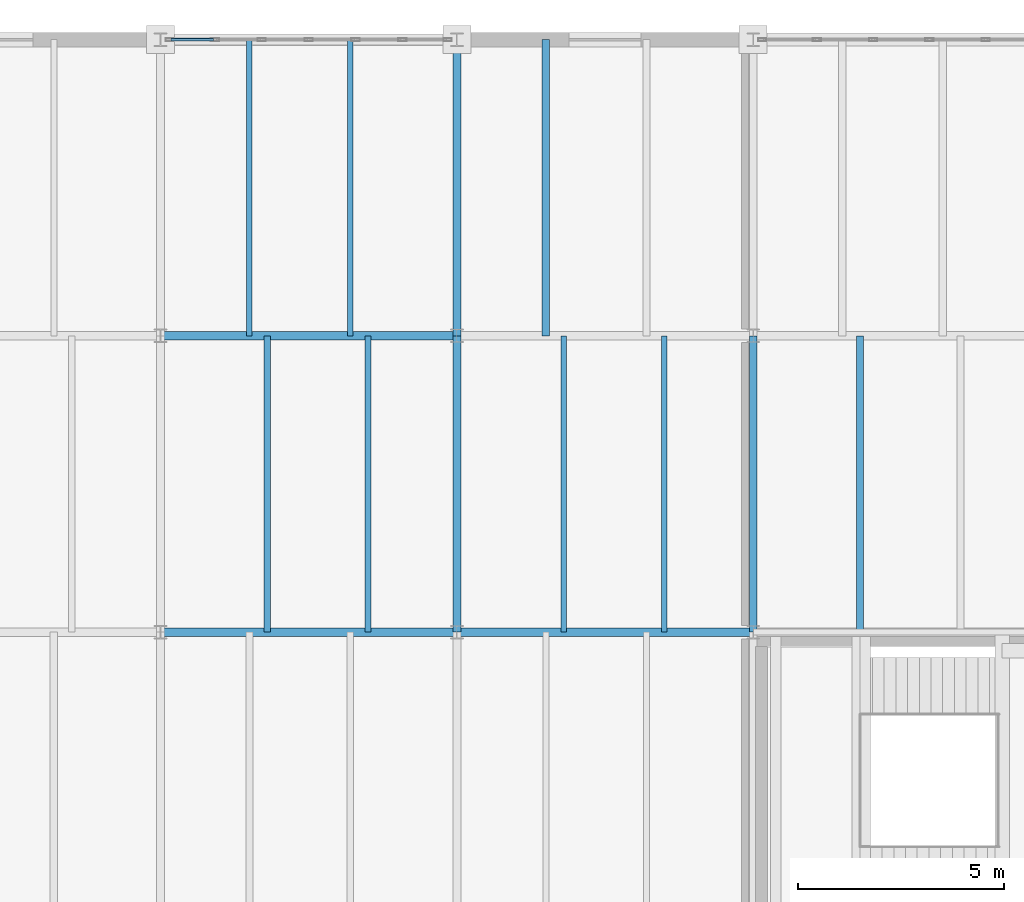
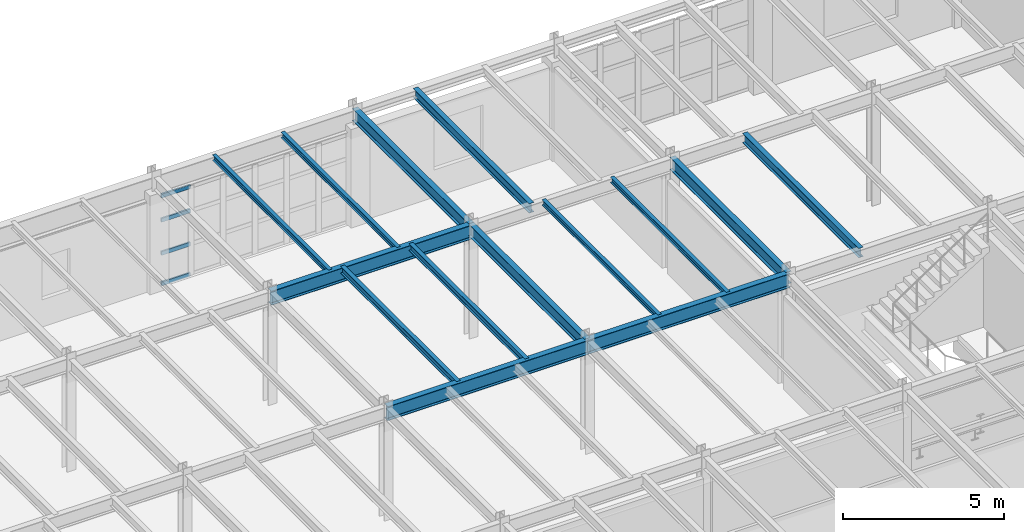
# One storey, part 59 of 137: 14 beams, 4 members, 1 element without a shape of its own.
"""IFC4 building model written with IfcOpenShell, lengths in metres."""

from ifc_helpers import new_model, si_unit, direction, frame, origin, origin_2d, place, context, subcontext, project, spatial, hollow_rectangle, i_section, extrude, material, layer, layer_set, material_profile, profile_set, type_object, element, aggregate, save


model = new_model("IFC4")

# Units and contexts
model_context = context("Model", 3, precision=1e-05, world=origin(), true_north=direction((0.0, 1.0)))
body_context = subcontext(model_context, "Body", "Model", "MODEL_VIEW")
ifc_project = project(units=[si_unit("LENGTHUNIT", "METRE"), si_unit("AREAUNIT", "SQUARE_METRE"), si_unit("VOLUMEUNIT", "CUBIC_METRE"), si_unit("PLANEANGLEUNIT", "RADIAN"), si_unit("MASSUNIT", "GRAM", prefix="KILO")], contexts=[model_context])

# Site, building, storey
site_placement = place(None, origin())
site = spatial("IfcSite", under=ifc_project, at=site_placement, CompositionType="ELEMENT")
building_placement = place(site_placement, origin())
building = spatial("IfcBuilding", under=site, at=building_placement, Name="Kemerveld Promenade Tramway Depot", CompositionType="ELEMENT")
storey_placement = place(building_placement, frame((0.0, 0.0, 5.39990234375)))
storey = spatial("IfcBuildingStorey", under=building, at=storey_placement, Name="L01", CompositionType="ELEMENT", Elevation=5.39990234375)

# Beams
ifc_material_1 = material(Name="Steel S355", Category="steel")
ifc_material_profile_1 = material_profile(ifc_material_1, i_section(OverallWidth=0.2099609375, OverallDepth=0.53662109375, WebThickness=0.0107421875, FlangeThickness=0.017333984375, FilletRadius=0.0126953125, at=origin_2d()), Name="533x210x101 UB")
ifc_profile_set_1 = profile_set([ifc_material_profile_1], Name="Steel S355")
beam_type_1 = type_object("IfcBeamType", Name="BM-G05", PredefinedType="BEAM", material=ifc_profile_set_1)
beam_1_placement = place(storey_placement, frame((14.39990234375, 64.800048828125, 3.99169921875), z_axis=(1.0, 0.0, 0.0), x_axis=(0.0, 1.0, 0.0)))
element("IfcBeam", 1, at=beam_1_placement, inside=storey, type_object=beam_type_1, Name="BMX-L01-03-04-K", PredefinedType="BEAM", context=body_context, shape_type="SweptSolid", body=[
    extrude(i_section(OverallWidth=0.2099609375, OverallDepth=0.53662109375, WebThickness=0.0107421875, FlangeThickness=0.017333984375, FilletRadius=0.0126953125, at=origin_2d()), origin(), (0.0, 0.0, 1.0), 7.2001953125),
])
beam_2_placement = place(storey_placement, frame((21.60009765625, 64.800048828125, 3.99169921875), z_axis=(1.0, 0.0, 0.0), x_axis=(0.0, 1.0, 0.0)))
element("IfcBeam", 2, at=beam_2_placement, inside=storey, type_object=beam_type_1, Name="BMX-L01-04-05-K", PredefinedType="BEAM", context=body_context, shape_type="SweptSolid", body=[
    extrude(i_section(OverallWidth=0.2099609375, OverallDepth=0.53662109375, WebThickness=0.0107421875, FlangeThickness=0.017333984375, FilletRadius=0.0126953125, at=origin_2d()), origin(), (0.0, 0.0, 1.0), 7.199951171875),
])
beam_3_placement = place(storey_placement, frame((14.39990234375, 72.0, 3.99169921875), z_axis=(1.0, 0.0, 0.0), x_axis=(0.0, 1.0, 0.0)))
element("IfcBeam", 3, at=beam_3_placement, inside=storey, type_object=beam_type_1, Name="BMX-L01-03-04-L", PredefinedType="BEAM", context=body_context, shape_type="SweptSolid", body=[
    extrude(i_section(OverallWidth=0.2099609375, OverallDepth=0.53662109375, WebThickness=0.0107421875, FlangeThickness=0.017333984375, FilletRadius=0.0126953125, at=origin_2d()), origin(), (0.0, 0.0, 1.0), 7.2001953125),
])
ifc_material_profile_2 = material_profile(ifc_material_1, i_section(OverallWidth=0.19140625, OverallDepth=0.4599609375, WebThickness=0.010009765625, FlangeThickness=0.01611328125, FilletRadius=0.01025390625, at=origin_2d()), Name="457x191x82 UB")
ifc_profile_set_2 = profile_set([ifc_material_profile_2], Name="Steel S355")
beam_type_2 = type_object("IfcBeamType", Name="BM-G06", PredefinedType="BEAM", material=ifc_profile_set_2)
for number, where, z_axis, x_axis, name in (
    (4, (21.60009765625, 64.800048828125, 4.030029296875), (0.0, 1.0, 0.0), (-1.0, 0.0, 0.0), "BMY-L01-04-K-L"),
    (5, (21.60009765625, 72.0, 4.030029296875), (0.0, 1.0, 0.0), (-1.0, 0.0, 0.0), "BMY-L01-04-L-M"),
    (6, (28.800048828125, 64.800048828125, 4.030029296875), (0.0, 1.0, 0.0), (-1.0, 0.0, 0.0), "BMY-L01-05-K-L"),
):
    element("IfcBeam", number, at=place(storey_placement, frame(where, z_axis=z_axis, x_axis=x_axis)), inside=storey, type_object=beam_type_2, Name=name, PredefinedType="BEAM", context=body_context, shape_type="SweptSolid", body=[
        extrude(i_section(OverallWidth=0.19140625, OverallDepth=0.4599609375, WebThickness=0.010009765625, FlangeThickness=0.01611328125, FilletRadius=0.01025390625, at=origin_2d()), origin(), (0.0, 0.0, 1.0), 7.199951171875),
    ])
ifc_material_profile_3 = material_profile(ifc_material_1, i_section(OverallWidth=0.146484375, OverallDepth=0.256103515625, WebThickness=0.00634765625, FlangeThickness=0.010986328125, FilletRadius=0.007568359375, at=origin_2d()), Name="254x146x37 UB")
ifc_profile_set_3 = profile_set([ifc_material_profile_3], Name="Steel S355")
beam_type_3 = type_object("IfcBeamType", Name="BM-J02", PredefinedType="JOIST", material=ifc_profile_set_3)
for number, where, z_axis, x_axis, name in (
    (7, (16.991943359375, 64.800048828125, 4.132080078125), (0.0, 1.0, 0.0), (-1.0, 0.0, 0.0), "JST-L01-03-K-1"),
    (8, (19.43994140625, 64.800048828125, 4.132080078125), (0.0, 1.0, 0.0), (-1.0, 0.0, 0.0), "JST-L01-03-K-2"),
):
    element("IfcBeam", number, at=place(storey_placement, frame(where, z_axis=z_axis, x_axis=x_axis)), inside=storey, type_object=beam_type_3, Name=name, PredefinedType="JOIST", context=body_context, shape_type="SweptSolid", body=[
        extrude(i_section(OverallWidth=0.146484375, OverallDepth=0.256103515625, WebThickness=0.00634765625, FlangeThickness=0.010986328125, FilletRadius=0.007568359375, at=origin_2d()), origin(), (0.0, 0.0, 1.0), 7.199951171875),
    ])
ifc_material_profile_4 = material_profile(ifc_material_1, i_section(OverallWidth=0.13330078125, OverallDepth=0.203125, WebThickness=0.005615234375, FlangeThickness=0.0078125, FilletRadius=0.007568359375, at=origin_2d()), Name="203x133x25 UB")
ifc_profile_set_4 = profile_set([ifc_material_profile_4], Name="Steel S355")
beam_type_4 = type_object("IfcBeamType", Name="BM-J03", PredefinedType="JOIST", material=ifc_profile_set_4)
for number, where, z_axis, x_axis, name in (
    (9, (16.56005859375, 72.0, 4.158447265625), (0.0, 1.0, 0.0), (-1.0, 0.0, 0.0), "JST-L01-03-L-1"),
    (10, (19.008056640625, 72.0, 4.158447265625), (0.0, 1.0, 0.0), (-1.0, 0.0, 0.0), "JST-L01-03-L-2"),
    (11, (24.19189453125, 64.800048828125, 4.158447265625), (0.0, 1.0, 0.0), (-1.0, 0.0, 0.0), "JST-L01-04-K-1"),
    (12, (26.639892578125, 64.800048828125, 4.158447265625), (0.0, 1.0, 0.0), (-1.0, 0.0, 0.0), "JST-L01-04-K-2"),
):
    element("IfcBeam", number, at=place(storey_placement, frame(where, z_axis=z_axis, x_axis=x_axis)), inside=storey, type_object=beam_type_4, Name=name, PredefinedType="JOIST", context=body_context, shape_type="SweptSolid", body=[
        extrude(i_section(OverallWidth=0.13330078125, OverallDepth=0.203125, WebThickness=0.005615234375, FlangeThickness=0.0078125, FilletRadius=0.007568359375, at=origin_2d()), origin(), (0.0, 0.0, 1.0), 7.199951171875),
    ])
ifc_material_profile_5 = material_profile(ifc_material_1, i_section(OverallWidth=0.172119140625, OverallDepth=0.35791015625, WebThickness=0.008056640625, FlangeThickness=0.012939453125, FilletRadius=0.01025390625, at=origin_2d()), Name="356x171x57 UB")
ifc_profile_set_5 = profile_set([ifc_material_profile_5], Name="Steel S355")
beam_type_5 = type_object("IfcBeamType", Name="BM-J04", PredefinedType="JOIST", material=ifc_profile_set_5)
for number, where, z_axis, x_axis, name in (
    (13, (23.760009765625, 72.0, 4.0810546875), (0.0, 1.0, 0.0), (-1.0, 0.0, 0.0), "JST-L01-04-L-1"),
    (14, (31.39208984375, 64.800048828125, 4.0810546875), (0.0, 1.0, 0.0), (-1.0, 0.0, 0.0), "JST-L01-05-K-1"),
):
    element("IfcBeam", number, at=place(storey_placement, frame(where, z_axis=z_axis, x_axis=x_axis)), inside=storey, type_object=beam_type_5, Name=name, PredefinedType="JOIST", context=body_context, shape_type="SweptSolid", body=[
        extrude(i_section(OverallWidth=0.172119140625, OverallDepth=0.35791015625, WebThickness=0.008056640625, FlangeThickness=0.012939453125, FilletRadius=0.01025390625, at=origin_2d()), origin(), (0.0, 0.0, 1.0), 7.199951171875),
    ])

# Curtain wall, members
ifc_material_2 = material(Name="Bronze anodised aluminium and solar glass", Category="aluminium")
ifc_layer = layer(ifc_material_2, 0.199951171875)
ifc_layer_set = layer_set([ifc_layer], Name="CW-SYS-06")
curtain_wall_type = type_object("IfcCurtainWallType", Name="CW-SYS-06", PredefinedType="USERDEFINED", material=ifc_layer_set)
curtain_wall_placement = place(storey_placement, origin())
curtain_wall = element("IfcCurtainWall", 15, at=curtain_wall_placement, inside=storey, type_object=curtain_wall_type, Name="CW-L01-V5N-03", ObjectType="GLAZED_CURTAIN_WALL", PredefinedType="USERDEFINED")
ifc_material_3 = material(Name="Bronze anodised aluminium", Category="aluminium")
ifc_material_profile_6 = material_profile(ifc_material_3, hollow_rectangle(XDim=0.06494140625, YDim=0.14990234375, WallThickness=0.00439453125, InnerFilletRadius=0.001953125, OuterFilletRadius=0.00439453125, at=origin_2d()), Name="CW-TRN-150x65")
ifc_profile_set_6 = profile_set([ifc_material_profile_6], Name="Bronze anodised aluminium")
member_type = type_object("IfcMemberType", Name="CW-TRN-B", PredefinedType="USERDEFINED", material=ifc_profile_set_6)
member_1_placement = place(storey_placement, frame((14.65869140625, 79.199951171875, 0.03271484375), z_axis=(1.0, 0.0, 0.0), x_axis=(0.0, 1.0, 0.0)))
member_1 = element("IfcMember", 16, at=member_1_placement, type_object=member_type, Name="CW06 transom 1.1", ObjectType="TRANSOM", PredefinedType="USERDEFINED", context=body_context, shape_type="SweptSolid", body=[
    extrude(hollow_rectangle(XDim=0.06494140625, YDim=0.14990234375, WallThickness=0.00439453125, InnerFilletRadius=0.001953125, OuterFilletRadius=0.00439453125, at=origin_2d()), origin(), (0.0, 0.0, 1.0), 1.026123046875),
])
member_2_placement = place(storey_placement, frame((14.65869140625, 79.199951171875, 1.18603515625), z_axis=(1.0, 0.0, 0.0), x_axis=(0.0, 1.0, 0.0)))
member_2 = element("IfcMember", 17, at=member_2_placement, type_object=member_type, Name="CW06 transom 1.2", ObjectType="TRANSOM", PredefinedType="USERDEFINED", context=body_context, shape_type="SweptSolid", body=[
    extrude(hollow_rectangle(XDim=0.06494140625, YDim=0.14990234375, WallThickness=0.00439453125, InnerFilletRadius=0.001953125, OuterFilletRadius=0.00439453125, at=origin_2d()), origin(), (0.0, 0.0, 1.0), 1.026123046875),
])
member_3_placement = place(storey_placement, frame((14.65869140625, 79.199951171875, 2.440185546875), z_axis=(1.0, 0.0, 0.0), x_axis=(0.0, 1.0, 0.0)))
member_3 = element("IfcMember", 18, at=member_3_placement, type_object=member_type, Name="CW06 transom 1.3", ObjectType="TRANSOM", PredefinedType="USERDEFINED", context=body_context, shape_type="SweptSolid", body=[
    extrude(hollow_rectangle(XDim=0.06494140625, YDim=0.14990234375, WallThickness=0.00439453125, InnerFilletRadius=0.001953125, OuterFilletRadius=0.00439453125, at=origin_2d()), origin(), (0.0, 0.0, 1.0), 1.026123046875),
])
member_4_placement = place(storey_placement, frame((14.65869140625, 79.199951171875, 3.356689453125), z_axis=(1.0, 0.0, 0.0), x_axis=(0.0, 1.0, 0.0)))
member_4 = element("IfcMember", 19, at=member_4_placement, type_object=member_type, Name="CW06 transom 1.4", ObjectType="TRANSOM", PredefinedType="USERDEFINED", context=body_context, shape_type="SweptSolid", body=[
    extrude(hollow_rectangle(XDim=0.06494140625, YDim=0.14990234375, WallThickness=0.00439453125, InnerFilletRadius=0.001953125, OuterFilletRadius=0.00439453125, at=origin_2d()), origin(), (0.0, 0.0, 1.0), 1.026123046875),
])
aggregate(curtain_wall, [member_1, member_2, member_3, member_4])

save(model, "model.ifc")
